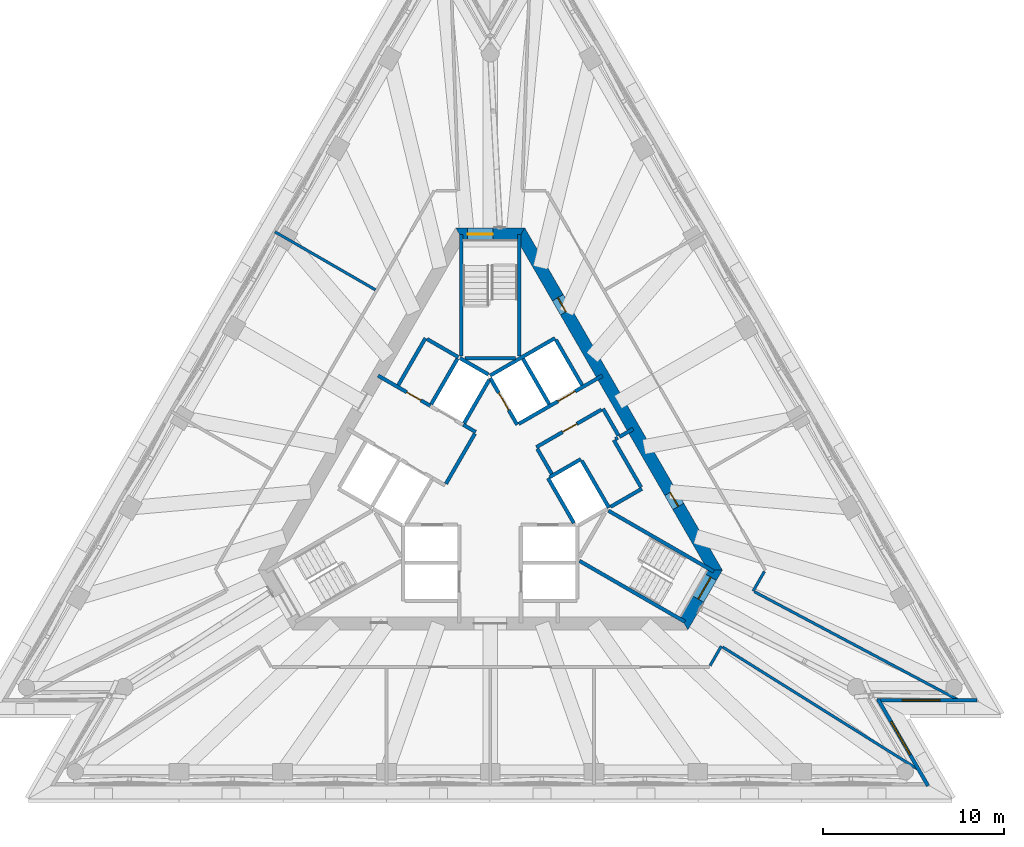
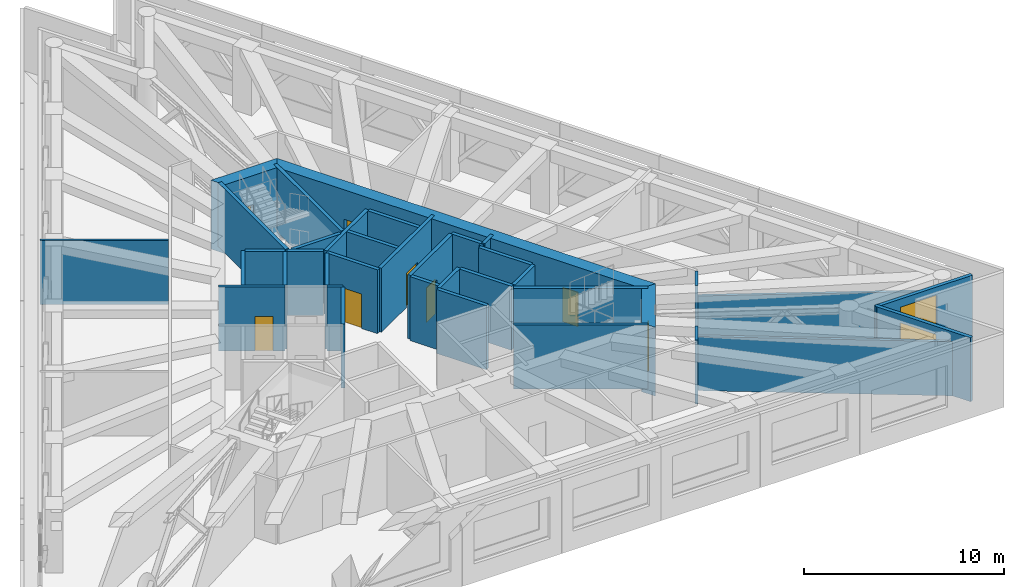
# One storey, part 8 of 12: 38 walls, 8 doors, 2 windows, 10 openings.
"""IFC4 building model written with IfcOpenShell, lengths in metres."""

from ifc_helpers import new_model, si_unit, direction, frame, frame_2d, origin, place, context, subcontext, project, spatial, polyline, rectangle, outline, extrude, material, layer, layer_set, layer_usage, type_object, element, fill, save


model = new_model("IFC4")

# Units and contexts
model_context = context("Model", 3, precision=1e-05, world=origin(), true_north=direction((0.0, 1.0)))
body_context = subcontext(model_context, "Body", "Model", "MODEL_VIEW")
ifc_project = project(units=[si_unit("LENGTHUNIT", "METRE"), si_unit("AREAUNIT", "SQUARE_METRE"), si_unit("VOLUMEUNIT", "CUBIC_METRE"), si_unit("PLANEANGLEUNIT", "RADIAN"), si_unit("MASSUNIT", "GRAM", prefix="KILO")], contexts=[model_context])

# Site, building, storey
site_placement = place(None, origin())
site = spatial("IfcSite", under=ifc_project, at=site_placement, CompositionType="ELEMENT")
building_placement = place(site_placement, origin())
building = spatial("IfcBuilding", under=site, at=building_placement, Name="Triada Interchange Tower", CompositionType="ELEMENT")
storey_placement = place(building_placement, frame((0.0, 0.0, 251.300048828125)))
storey = spatial("IfcBuildingStorey", under=building, at=storey_placement, Name="L59", CompositionType="ELEMENT", Elevation=251.300048828125)

# Wall
ifc_material_1 = material(Name="Concrete C30/37", Category="concrete")
ifc_layer_1 = layer(ifc_material_1, 0.199951171875)
ifc_layer_set_1 = layer_set([ifc_layer_1], Name="CORE WALL 200 EI 120")
wall_type_1 = type_object("IfcWallType", Name="CORE WALL 200 EI 120", PredefinedType="SOLIDWALL", material=ifc_layer_set_1)
wall_1_placement = place(storey_placement, frame((-0.001953125, 5.541015625, 0.0), z_axis=(0.0, 0.0, 1.0), x_axis=(0.86600155993, 0.500041296494, 0.0)))
element("IfcWall", 1, at=wall_1_placement, inside=storey, type_object=wall_type_1, Name="Wall L59 33", PredefinedType="SOLIDWALL", context=body_context, shape_type="SweptSolid", body=[
    extrude(rectangle(XDim=4.131591796875, YDim=0.199951171875, at=frame_2d((2.06591796875, 0.0))), origin(), (0.0, 0.0, 1.0), 3.89990234375),
])

# Wall, opening, door
wall_2_placement = place(storey_placement, frame((0.0, 5.39990234375, 0.0), z_axis=(0.0, 0.0, 1.0), x_axis=(0.500103862429, -0.865965430478, 0.0)))
wall_2 = element("IfcWall", 2, at=wall_2_placement, inside=storey, type_object=wall_type_1, Name="Wall L59 34", PredefinedType="SOLIDWALL", context=body_context, shape_type="SweptSolid", body=[
    extrude(rectangle(XDim=2.973388671875, YDim=0.199951171875, at=frame_2d((1.48681640625, 0.0))), origin(), (0.0, 0.0, 1.0), 3.89990234375),
])
opening_1_placement = place(wall_2_placement, frame((0.93701171875, 0.0, 0.0)))
opening_1 = element("IfcOpeningElement", 3, at=opening_1_placement, cuts=wall_2, Name="Opening LD-HR5", PredefinedType="OPENING", context=body_context, shape_type="SweptSolid", body=[
    extrude(rectangle(XDim=1.10009765625, YDim=2.10009765625, at=frame_2d((0.550048828125, 1.050048828125))), frame((0.0, 0.10986328125, 0.0), z_axis=(0.0, -1.0, 0.0), x_axis=(1.0, 0.0, 0.0)), (0.0, 0.0, 1.0), 0.219970703125),
])
ifc_material_2 = material(Name="Steel S235 door leaf", Category="steel")
door_type_1 = type_object("IfcDoorType", Name="LIFT LANDING DOOR 1100 EI 120", OperationType="SLIDING_TO_LEFT", PredefinedType="DOOR", material=ifc_material_2)
door_1_placement = place(opening_1_placement, origin())
door_1 = element("IfcDoor", 4, at=door_1_placement, inside=storey, type_object=door_type_1, Name="HR5 landing door L59", OperationType="SLIDING_TO_LEFT", OverallHeight=2.10009765625, OverallWidth=1.10009765625, PredefinedType="DOOR", context=body_context, shape_type="SweptSolid", body=[
    extrude(rectangle(XDim=1.10009765625, YDim=2.10009765625, at=frame_2d((0.550048828125, 1.050048828125))), frame((0.0, 0.02490234375, 0.0), z_axis=(0.0, -1.0, 0.0), x_axis=(1.0, 0.0, 0.0)), (0.0, 0.0, 1.0), 0.050048828125),
])
fill(opening_1, door_1)

# Wall
wall_3_placement = place(storey_placement, frame((3.18994140625, -0.125, 0.0), z_axis=(0.0, 0.0, 1.0), x_axis=(0.499988658015, -0.866031951983, 0.0)))
element("IfcWall", 5, at=wall_3_placement, inside=storey, type_object=wall_type_1, Name="Wall L59 35", PredefinedType="SOLIDWALL", context=body_context, shape_type="SweptSolid", body=[
    extrude(rectangle(XDim=2.85791015625, YDim=0.199951171875, at=frame_2d((1.428955078125, 0.0))), origin(), (0.0, 0.0, 1.0), 3.89990234375),
])

# Wall, opening, door
wall_4_placement = place(storey_placement, frame((1.577880859375, 2.8740234375, 0.0), z_axis=(0.0, 0.0, 1.0), x_axis=(0.866045911672, 0.499964477614, 0.0)))
wall_4 = element("IfcWall", 6, at=wall_4_placement, inside=storey, type_object=wall_type_1, Name="Wall L59 36", PredefinedType="SOLIDWALL", context=body_context, shape_type="SweptSolid", body=[
    extrude(rectangle(XDim=5.32666015625, YDim=0.199951171875, at=frame_2d((2.663330078125, 0.0))), origin(), (0.0, 0.0, 1.0), 3.89990234375),
])
opening_2_placement = place(wall_4_placement, frame((2.49609375, 0.0, 0.0)))
opening_2 = element("IfcOpeningElement", 7, at=opening_2_placement, cuts=wall_4, Name="Opening LD-HR6", PredefinedType="OPENING", context=body_context, shape_type="SweptSolid", body=[
    extrude(rectangle(XDim=1.10009765625, YDim=2.10009765625, at=frame_2d((0.550048828125, 1.050048828125))), frame((0.0, 0.10986328125, 0.0), z_axis=(0.0, -1.0, 0.0), x_axis=(1.0, 0.0, 0.0)), (0.0, 0.0, 1.0), 0.219970703125),
])
door_2_placement = place(opening_2_placement, origin())
door_2 = element("IfcDoor", 8, at=door_2_placement, inside=storey, type_object=door_type_1, Name="HR6 landing door L59", OperationType="SLIDING_TO_LEFT", OverallHeight=2.10009765625, OverallWidth=1.10009765625, PredefinedType="DOOR", context=body_context, shape_type="SweptSolid", body=[
    extrude(rectangle(XDim=1.10009765625, YDim=2.10009765625, at=frame_2d((0.550048828125, 1.050048828125))), frame((0.0, 0.02490234375, 0.0), z_axis=(0.0, -1.0, 0.0), x_axis=(1.0, 0.0, 0.0)), (0.0, 0.0, 1.0), 0.050048828125),
])
fill(opening_2, door_2)

# Walls
wall_5_placement = place(storey_placement, frame((3.278076171875, -0.071044921875, 0.0), z_axis=(0.0, 0.0, 1.0), x_axis=(0.865855657918, 0.500293893279, 0.0)))
element("IfcWall", 9, at=wall_5_placement, inside=storey, type_object=wall_type_1, Name="Wall L59 39", PredefinedType="SOLIDWALL", context=body_context, shape_type="SweptSolid", body=[
    extrude(rectangle(XDim=1.996826171875, YDim=0.199951171875, at=frame_2d((0.99853515625, 0.0))), origin(), (0.0, 0.0, 1.0), 3.89990234375),
])
wall_6_placement = place(storey_placement, frame((7.12890625, 2.153076171875, 0.0), z_axis=(0.0, 0.0, 1.0), x_axis=(0.866083962871, 0.499898558967, 0.0)))
element("IfcWall", 10, at=wall_6_placement, inside=storey, type_object=wall_type_1, Name="Wall L59 40", PredefinedType="SOLIDWALL", context=body_context, shape_type="SweptSolid", body=[
    extrude(rectangle(XDim=0.880126953125, YDim=0.199951171875, at=frame_2d((0.43994140625, 0.0))), origin(), (0.0, 0.0, 1.0), 3.89990234375),
])
for number, where, z_axis, x_axis, name in (
    (11, (3.6259765625, 7.52001953125, 0.0), (0.0, 0.0, 1.0), (0.500060147554, -0.865990674793, 0.0), "Wall L59 41"),
    (12, (1.806884765625, 6.469970703125, 0.0), (0.0, 0.0, 1.0), (0.50012328804, -0.865954211699, 0.0), "Wall L59 42"),
):
    element("IfcWall", number, at=place(storey_placement, frame(where, z_axis=z_axis, x_axis=x_axis)), inside=storey, type_object=wall_type_1, Name=name, PredefinedType="SOLIDWALL", context=body_context, shape_type="SweptSolid", body=[
        extrude(rectangle(XDim=2.899658203125, YDim=0.199951171875, at=frame_2d((1.44970703125, 0.0))), origin(), (0.0, 0.0, 1.0), 3.89990234375),
    ])
wall_7_placement = place(storey_placement, frame((5.056884765625, 0.841064453125, 0.0), z_axis=(0.0, 0.0, 1.0), x_axis=(0.499990139034, -0.866031096941, 0.0)))
element("IfcWall", 13, at=wall_7_placement, inside=storey, type_object=wall_type_1, Name="Wall L59 43", PredefinedType="SOLIDWALL", context=body_context, shape_type="SweptSolid", body=[
    extrude(rectangle(XDim=3.0, YDim=0.199951171875, at=frame_2d((1.5, 0.0))), origin(), (0.0, 0.0, 1.0), 3.89990234375),
])
wall_8_placement = place(storey_placement, frame((6.22900390625, 3.7119140625, 0.0), z_axis=(0.0, 0.0, 1.0), x_axis=(0.499875724984, -0.86609714211, 0.0)))
element("IfcWall", 14, at=wall_8_placement, inside=storey, type_object=wall_type_1, Name="Wall L59 45", PredefinedType="SOLIDWALL", context=body_context, shape_type="SweptSolid", body=[
    extrude(rectangle(XDim=1.70068359375, YDim=0.199951171875, at=frame_2d((0.850341796875, 0.0))), origin(), (0.0, 0.0, 1.0), 3.89990234375),
])

# Wall, opening, door
wall_9_placement = place(storey_placement, frame((2.548095703125, 1.5869140625, 0.0), z_axis=(0.0, 0.0, 1.0), x_axis=(0.866004344652, 0.500036473714, 0.0)))
wall_9 = element("IfcWall", 15, at=wall_9_placement, inside=storey, type_object=wall_type_1, Name="Wall L59 46", PredefinedType="SOLIDWALL", context=body_context, shape_type="SweptSolid", body=[
    extrude(rectangle(XDim=4.150146484375, YDim=0.199951171875, at=frame_2d((2.0751953125, 0.0))), origin(), (0.0, 0.0, 1.0), 3.89990234375),
])
opening_3_placement = place(wall_9_placement, frame((1.675048828125, 0.0, 0.0)))
opening_3 = element("IfcOpeningElement", 16, at=opening_3_placement, cuts=wall_9, Name="Opening D59-29", PredefinedType="OPENING", context=body_context, shape_type="SweptSolid", body=[
    extrude(rectangle(XDim=0.89990234375, YDim=2.10009765625, at=frame_2d((0.449951171875, 1.050048828125))), frame((0.0, 0.10986328125, 0.0), z_axis=(0.0, -1.0, 0.0), x_axis=(1.0, 0.0, 0.0)), (0.0, 0.0, 1.0), 0.219970703125),
])
door_type_2 = type_object("IfcDoorType", Name="SERVICE DOOR 900 EI2 45-C5S200", OperationType="NOTDEFINED", PredefinedType="DOOR", material=ifc_material_2)
door_3_placement = place(opening_3_placement, origin())
door_3 = element("IfcDoor", 17, at=door_3_placement, inside=storey, type_object=door_type_2, Name="Door D59-29 L59", OperationType="SINGLE_SWING_RIGHT", OverallHeight=2.10009765625, OverallWidth=0.89990234375, PredefinedType="DOOR", context=body_context, shape_type="SweptSolid", body=[
    extrude(rectangle(XDim=0.89990234375, YDim=2.10009765625, at=frame_2d((0.449951171875, 1.050048828125))), frame((0.0, 0.02490234375, 0.0), z_axis=(0.0, -1.0, 0.0), x_axis=(1.0, 0.0, 0.0)), (0.0, 0.0, 1.0), 0.050048828125),
])
fill(opening_3, door_3)

# Wall
wall_10_placement = place(storey_placement, frame((2.597900390625, 1.5, 0.0), z_axis=(0.0, 0.0, 1.0), x_axis=(0.499929347863, -0.866066190972, 0.0)))
element("IfcWall", 18, at=wall_10_placement, inside=storey, type_object=wall_type_1, Name="Wall L59 47", PredefinedType="SOLIDWALL", context=body_context, shape_type="SweptSolid", body=[
    extrude(rectangle(XDim=1.600341796875, YDim=0.199951171875, at=frame_2d((0.80029296875, 0.0))), origin(), (0.0, 0.0, 1.0), 3.89990234375),
])

# Wall, opening, door
ifc_layer_2 = layer(ifc_material_1, 0.199951171875)
ifc_layer_set_2 = layer_set([ifc_layer_2], Name="CORE WALL 200 EI 180")
wall_type_2 = type_object("IfcWallType", Name="CORE WALL 200 EI 180", PredefinedType="SOLIDWALL", material=ifc_layer_set_2)
wall_11_placement = place(storey_placement, frame((-6.19091796875, 5.537109375, 0.0), z_axis=(0.0, 0.0, 1.0), x_axis=(0.866052607023, -0.499952879648, 0.0)))
wall_11 = element("IfcWall", 19, at=wall_11_placement, inside=storey, type_object=wall_type_2, Name="Wall L59 50", PredefinedType="SOLIDWALL", context=body_context, shape_type="SweptSolid", body=[
    extrude(rectangle(XDim=3.332275390625, YDim=0.199951171875, at=frame_2d((1.666015625, 0.0))), origin(), (0.0, 0.0, 1.0), 3.89990234375),
])
opening_4_placement = place(wall_11_placement, frame((1.830078125, 0.0, 0.0)))
opening_4 = element("IfcOpeningElement", 20, at=opening_4_placement, cuts=wall_11, Name="Opening D59-10", PredefinedType="OPENING", context=body_context, shape_type="SweptSolid", body=[
    extrude(rectangle(XDim=0.89990234375, YDim=2.10009765625, at=frame_2d((0.449951171875, 1.050048828125))), frame((0.0, 0.10986328125, 0.0), z_axis=(0.0, -1.0, 0.0), x_axis=(1.0, 0.0, 0.0)), (0.0, 0.0, 1.0), 0.219970703125),
])
door_type_3 = type_object("IfcDoorType", Name="SERVICE DOOR 900 EI2 90-C5S200", OperationType="NOTDEFINED", PredefinedType="DOOR", material=ifc_material_2)
door_4_placement = place(opening_4_placement, origin())
door_4 = element("IfcDoor", 21, at=door_4_placement, inside=storey, type_object=door_type_3, Name="Door D59-10 L59", OperationType="SINGLE_SWING_LEFT", OverallHeight=2.10009765625, OverallWidth=0.89990234375, PredefinedType="DOOR", context=body_context, shape_type="SweptSolid", body=[
    extrude(rectangle(XDim=0.89990234375, YDim=2.10009765625, at=frame_2d((0.449951171875, 1.050048828125))), frame((0.0, 0.02490234375, 0.0), z_axis=(0.0, -1.0, 0.0), x_axis=(1.0, 0.0, 0.0)), (0.0, 0.0, 1.0), 0.050048828125),
])
fill(opening_4, door_4)

# Walls
wall_12_placement = place(storey_placement, frame((-1.488037109375, 2.822021484375, 0.0), z_axis=(0.0, 0.0, 1.0), x_axis=(0.866236612152, -0.499633997809, 0.0)))
element("IfcWall", 22, at=wall_12_placement, inside=storey, type_object=wall_type_2, Name="Wall L59 51", PredefinedType="SOLIDWALL", context=body_context, shape_type="SweptSolid", body=[
    extrude(rectangle(XDim=0.79638671875, YDim=0.199951171875, at=frame_2d((0.398193359375, 0.0))), origin(), (0.0, 0.0, 1.0), 3.89990234375),
])
wall_13_placement = place(storey_placement, frame((-5.075927734375, 5.009033203125, 0.0), z_axis=(0.0, 0.0, 1.0), x_axis=(0.50002537861, 0.866010750942, 0.0)))
element("IfcWall", 23, at=wall_13_placement, inside=storey, type_object=wall_type_2, Name="Wall L59 52", PredefinedType="SOLIDWALL", context=body_context, shape_type="SweptSolid", body=[
    extrude(rectangle(XDim=2.999755859375, YDim=0.199951171875, at=frame_2d((1.5, 0.0))), origin(), (0.0, 0.0, 1.0), 3.89990234375),
])
wall_14_placement = place(storey_placement, frame((-3.489013671875, 7.556884765625, 0.0), z_axis=(0.0, 0.0, 1.0), x_axis=(0.866010750942, -0.50002537861, 0.0)))
element("IfcWall", 24, at=wall_14_placement, inside=storey, type_object=wall_type_2, Name="Wall L59 53", PredefinedType="SOLIDWALL", context=body_context, shape_type="SweptSolid", body=[
    extrude(rectangle(XDim=2.0, YDim=0.199951171875, at=frame_2d((1.0, 0.0))), origin(), (0.0, 0.0, 1.0), 3.89990234375),
])
wall_15_placement = place(storey_placement, frame((-2.444091796875, -0.43310546875, 0.0), z_axis=(0.0, 0.0, 1.0), x_axis=(0.500035624827, 0.866004834804, 0.0)))
element("IfcWall", 25, at=wall_15_placement, inside=storey, type_object=wall_type_2, Name="Wall L59 54", PredefinedType="SOLIDWALL", context=body_context, shape_type="SweptSolid", body=[
    extrude(rectangle(XDim=3.194091796875, YDim=0.199951171875, at=frame_2d((1.59716796875, 0.0))), origin(), (0.0, 0.0, 1.0), 3.89990234375),
])
wall_16_placement = place(storey_placement, frame((-3.257080078125, 3.958984375, 0.0), z_axis=(0.0, 0.0, 1.0), x_axis=(0.50012328804, 0.865954211699, 0.0)))
element("IfcWall", 26, at=wall_16_placement, inside=storey, type_object=wall_type_2, Name="Shaft wall FF2 L59 60", PredefinedType="SOLIDWALL", context=body_context, shape_type="SweptSolid", body=[
    extrude(rectangle(XDim=2.899658203125, YDim=0.199951171875, at=frame_2d((1.44970703125, 0.0))), origin(), (0.0, 0.0, 1.0), 3.89990234375),
])
wall_17_placement = place(storey_placement, frame((-1.669921875, 6.507080078125, 0.0), z_axis=(0.0, 0.0, 1.0), x_axis=(0.865941441609, -0.500145398563, 0.0)))
element("IfcWall", 27, at=wall_17_placement, inside=storey, type_object=wall_type_2, Name="Shaft wall FF2 L59 61", PredefinedType="SOLIDWALL", context=body_context, shape_type="SweptSolid", body=[
    extrude(rectangle(XDim=1.8154296875, YDim=0.199951171875, at=frame_2d((0.90771484375, 0.0))), origin(), (0.0, 0.0, 1.0), 3.89990234375),
])
wall_18_placement = place(storey_placement, frame((-1.43798828125, 2.908935546875, 0.0), z_axis=(0.0, 0.0, 1.0), x_axis=(0.499829630636, 0.866123744241, 0.0)))
element("IfcWall", 28, at=wall_18_placement, inside=storey, type_object=wall_type_2, Name="Shaft wall FF2 L59 62", PredefinedType="SOLIDWALL", context=body_context, shape_type="SweptSolid", body=[
    extrude(rectangle(XDim=2.7607421875, YDim=0.199951171875, at=frame_2d((1.38037109375, 0.0))), origin(), (0.0, 0.0, 1.0), 3.89990234375),
])
ifc_layer_3 = layer(ifc_material_1, 0.199951171875)
ifc_layer_set_3 = layer_set([ifc_layer_3], Name="CORE WALL 200 EI 90")
wall_type_3 = type_object("IfcWallType", Name="CORE WALL 200 EI 90", PredefinedType="SOLIDWALL", material=ifc_layer_set_3)
wall_19_placement = place(storey_placement, frame((6.64208984375, -1.7080078125, 0.0), z_axis=(0.0, 0.0, 1.0), x_axis=(0.866043441391, 0.499968756647, 0.0)))
element("IfcWall", 29, at=wall_19_placement, inside=storey, type_object=wall_type_3, Name="Wall L59 64", PredefinedType="SOLIDWALL", context=body_context, shape_type="SweptSolid", body=[
    extrude(rectangle(XDim=2.002197265625, YDim=0.199951171875, at=frame_2d((1.0009765625, 0.0))), origin(), (0.0, 0.0, 1.0), 3.89990234375),
])
wall_20_placement = place(storey_placement, frame((6.825927734375, 1.97802734375, 0.0), z_axis=(0.0, 0.0, 1.0), x_axis=(0.499990139034, -0.866031096941, 0.0)))
element("IfcWall", 30, at=wall_20_placement, inside=storey, type_object=wall_type_3, Name="Wall L59 65", PredefinedType="SOLIDWALL", context=body_context, shape_type="SweptSolid", body=[
    extrude(rectangle(XDim=3.0, YDim=0.199951171875, at=frame_2d((1.5, 0.0))), origin(), (0.0, 0.0, 1.0), 3.89990234375),
])
wall_21_placement = place(storey_placement, frame((6.912109375, 2.028076171875, 0.0), z_axis=(0.0, 0.0, 1.0), x_axis=(0.866559367082, 0.499074005857, 0.0)))
element("IfcWall", 31, at=wall_21_placement, inside=storey, type_object=wall_type_3, Name="Wall L59 66", PredefinedType="SOLIDWALL", context=body_context, shape_type="SweptSolid", body=[
    extrude(rectangle(XDim=0.152099609375, YDim=0.199951171875, at=frame_2d((0.076171875, 0.0))), origin(), (0.0, 0.0, 1.0), 3.89990234375),
])
ifc_layer_4 = layer(ifc_material_1, 0.199951171875)
ifc_layer_set_4 = layer_set([ifc_layer_4], Name="CORE WALL 200 REI 240")
wall_type_4 = type_object("IfcWallType", Name="CORE WALL 200 REI 240", PredefinedType="SOLIDWALL", material=ifc_layer_set_4)
wall_22_placement = place(storey_placement, frame((1.60009765625, 6.614990234375, 0.0), z_axis=(0.0, 0.0, 1.0), x_axis=(0.0, 1.0, 0.0)))
element("IfcWall", 32, at=wall_22_placement, inside=storey, type_object=wall_type_4, Name="Wall L59 70", PredefinedType="SOLIDWALL", context=body_context, shape_type="SweptSolid", body=[
    extrude(rectangle(XDim=6.715087890625, YDim=0.199951171875, at=frame_2d((3.357421875, 0.0))), origin(), (0.0, 0.0, 1.0), 3.89990234375),
])
wall_23_placement = place(storey_placement, frame((-1.39990234375, 6.5, 0.0), z_axis=(0.0, 0.0, 1.0), x_axis=(1.0, 0.0, 0.0)))
element("IfcWall", 33, at=wall_23_placement, inside=storey, type_object=wall_type_4, Name="Wall L59 71", PredefinedType="SOLIDWALL", context=body_context, shape_type="SweptSolid", body=[
    extrude(rectangle(XDim=2.7998046875, YDim=0.199951171875, at=frame_2d((1.39990234375, 0.0))), origin(), (0.0, 0.0, 1.0), 3.89990234375),
])
wall_24_placement = place(storey_placement, frame((-1.60009765625, 6.614990234375, 0.0), z_axis=(0.0, 0.0, 1.0), x_axis=(0.0, 1.0, 0.0)))
element("IfcWall", 34, at=wall_24_placement, inside=storey, type_object=wall_type_4, Name="Wall L59 72", PredefinedType="SOLIDWALL", context=body_context, shape_type="SweptSolid", body=[
    extrude(rectangle(XDim=6.715087890625, YDim=0.199951171875, at=frame_2d((3.357421875, 0.0))), origin(), (0.0, 0.0, 1.0), 3.89990234375),
])
wall_25_placement = place(storey_placement, frame((4.928955078125, -4.693115234375, 0.0), z_axis=(0.0, 0.0, 1.0), x_axis=(0.865983344943, -0.500072840975, 0.0)))
element("IfcWall", 35, at=wall_25_placement, inside=storey, type_object=wall_type_4, Name="Wall L59 73", PredefinedType="SOLIDWALL", context=body_context, shape_type="SweptSolid", body=[
    extrude(rectangle(XDim=6.71484375, YDim=0.199951171875, at=frame_2d((3.357421875, 0.0))), origin(), (0.0, 0.0, 1.0), 3.89990234375),
])
wall_26_placement = place(storey_placement, frame((6.529052734375, -1.922119140625, 0.0), z_axis=(0.0, 0.0, 1.0), x_axis=(0.866046323291, -0.499963764601, 0.0)))
element("IfcWall", 36, at=wall_26_placement, inside=storey, type_object=wall_type_4, Name="Wall L59 75", PredefinedType="SOLIDWALL", context=body_context, shape_type="SweptSolid", body=[
    extrude(rectangle(XDim=6.71435546875, YDim=0.199951171875, at=frame_2d((3.357177734375, 0.0))), origin(), (0.0, 0.0, 1.0), 3.89990234375),
])

# Wall, opening, door
ifc_material_3 = material(Name="Concrete C50/60", Category="concrete")
ifc_layer_5 = layer(ifc_material_3, 0.699951171875)
ifc_layer_set_5 = layer_set([ifc_layer_5], Name="Core wall C 700")
wall_type_5 = type_object("IfcWallType", Name="Core wall C 700", PredefinedType="SHEAR", material=ifc_layer_set_5)
wall_27_placement = place(storey_placement, frame((1.702880859375, 13.35009765625, -0.300048828125), z_axis=(0.0, 0.0, 1.0), x_axis=(-1.0, 0.0, 0.0)))
wall_27 = element("IfcWall", 37, at=wall_27_placement, inside=storey, type_object=wall_type_5, Name="Core wall WC01 L59", PredefinedType="SHEAR", context=body_context, shape_type="SweptSolid", body=[
    extrude(outline(polyline([(-0.201904296875, -0.35009765625), (1.703125, -0.35009765625), (3.60791015625, -0.35009765625), (3.2041015625, 0.35009765625), (1.703125, 0.35009765625), (0.201904296875, 0.35009765625), (-0.201904296875, -0.35009765625)])), origin(), (0.0, 0.0, 1.0), 4.199951171875),
])
opening_5_placement = place(wall_27_placement, frame((1.552978515625, 0.0, 0.300048828125)))
opening_5 = element("IfcOpeningElement", 38, at=opening_5_placement, cuts=wall_27, Name="Opening D59-22", PredefinedType="OPENING", context=body_context, shape_type="SweptSolid", body=[
    extrude(rectangle(XDim=1.39990234375, YDim=2.10009765625, at=frame_2d((0.699951171875, 1.050048828125))), frame((0.0, 0.360107421875, 0.0), z_axis=(0.0, -1.0, 0.0), x_axis=(1.0, 0.0, 0.0)), (0.0, 0.0, 1.0), 0.72021484375),
])
door_type_4 = type_object("IfcDoorType", Name="STAIR DOOR 1400 EI2 90-C5S200", OperationType="DOUBLE_DOOR_SINGLE_SWING", PredefinedType="DOOR", material=ifc_material_2)
door_5_placement = place(opening_5_placement, origin())
door_5 = element("IfcDoor", 39, at=door_5_placement, inside=storey, type_object=door_type_4, Name="Door D59-22 L59", OperationType="DOUBLE_DOOR_SINGLE_SWING", OverallHeight=2.10009765625, OverallWidth=1.39990234375, PredefinedType="DOOR", context=body_context, shape_type="SweptSolid", body=[
    extrude(rectangle(XDim=1.39990234375, YDim=2.10009765625, at=frame_2d((0.699951171875, 1.050048828125))), frame((0.0, 0.02490234375, 0.0), z_axis=(0.0, -1.0, 0.0), x_axis=(1.0, 0.0, 0.0)), (0.0, 0.0, 1.0), 0.050048828125),
])
fill(opening_5, door_5)

wall_28_placement = place(storey_placement, frame((10.7099609375, -8.14990234375, -0.300048828125), z_axis=(0.0, 0.0, 1.0), x_axis=(0.49999337185, 0.866029230515, 0.0)))
wall_28 = element("IfcWall", 40, at=wall_28_placement, inside=storey, type_object=wall_type_5, Name="Core wall WC05 L59", PredefinedType="SHEAR", context=body_context, shape_type="SweptSolid", body=[
    extrude(outline(polyline([(-0.201904296875, -0.35009765625), (1.703125, -0.35009765625), (3.60791015625, -0.35009765625), (3.2041015625, 0.35009765625), (1.703125, 0.35009765625), (0.201904296875, 0.35009765625), (-0.201904296875, -0.35009765625)])), origin(), (0.0, 0.0, 1.0), 4.199951171875),
])
opening_6_placement = place(wall_28_placement, frame((1.552978515625, 0.0, 0.300048828125)))
opening_6 = element("IfcOpeningElement", 41, at=opening_6_placement, cuts=wall_28, Name="Opening D59-24", PredefinedType="OPENING", context=body_context, shape_type="SweptSolid", body=[
    extrude(rectangle(XDim=1.39990234375, YDim=2.10009765625, at=frame_2d((0.699951171875, 1.050048828125))), frame((0.0, 0.360107421875, 0.0), z_axis=(0.0, -1.0, 0.0), x_axis=(1.0, 0.0, 0.0)), (0.0, 0.0, 1.0), 0.72021484375),
])
door_6_placement = place(opening_6_placement, origin())
door_6 = element("IfcDoor", 42, at=door_6_placement, inside=storey, type_object=door_type_4, Name="Door D59-24 L59", OperationType="DOUBLE_DOOR_SINGLE_SWING", OverallHeight=2.10009765625, OverallWidth=1.39990234375, PredefinedType="DOOR", context=body_context, shape_type="SweptSolid", body=[
    extrude(rectangle(XDim=1.39990234375, YDim=2.10009765625, at=frame_2d((0.699951171875, 1.050048828125))), frame((0.0, 0.02490234375, 0.0), z_axis=(0.0, -1.0, 0.0), x_axis=(1.0, 0.0, 0.0)), (0.0, 0.0, 1.0), 0.050048828125),
])
fill(opening_6, door_6)

# Wall, openings, doors
wall_29_placement = place(storey_placement, frame((12.4130859375, -5.199951171875, -0.300048828125), z_axis=(0.0, 0.0, 1.0), x_axis=(-0.500011533395, 0.866018744874, 0.0)))
wall_29 = element("IfcWall", 43, at=wall_29_placement, inside=storey, type_object=wall_type_5, Name="Core wall WC06 L59", PredefinedType="SHEAR", context=body_context, shape_type="SweptSolid", body=[
    extrude(outline(polyline([(-0.201904296875, -0.35009765625), (1.781982421875, -0.35009765625), (3.76611328125, -0.35009765625), (5.75, -0.35009765625), (7.734130859375, -0.35009765625), (9.718017578125, -0.35009765625), (11.7021484375, -0.35009765625), (13.68603515625, -0.35009765625), (15.670166015625, -0.35009765625), (17.654052734375, -0.35009765625), (19.63818359375, -0.35009765625), (21.6220703125, -0.35009765625), (21.218017578125, 0.35009765625), (19.307373046875, 0.35009765625), (17.39697265625, 0.35009765625), (15.486328125, 0.35009765625), (13.57568359375, 0.35009765625), (11.665283203125, 0.35009765625), (9.754638671875, 0.35009765625), (7.84423828125, 0.35009765625), (5.93359375, 0.35009765625), (4.02294921875, 0.35009765625), (2.112548828125, 0.35009765625), (0.201904296875, 0.35009765625), (-0.201904296875, -0.35009765625)])), origin(), (0.0, 0.0, 1.0), 4.199951171875),
])
opening_7_placement = place(wall_29_placement, frame((4.054931640625, 0.0, 0.300048828125)))
opening_7 = element("IfcOpeningElement", 44, at=opening_7_placement, cuts=wall_29, Name="Opening D59-27", PredefinedType="OPENING", context=body_context, shape_type="SweptSolid", body=[
    extrude(rectangle(XDim=0.89990234375, YDim=2.10009765625, at=frame_2d((0.449951171875, 1.050048828125))), frame((0.0, 0.360107421875, 0.0), z_axis=(0.0, -1.0, 0.0), x_axis=(1.0, 0.0, 0.0)), (0.0, 0.0, 1.0), 0.72021484375),
])
opening_8_placement = place(wall_29_placement, frame((16.465087890625, 0.0, 0.300048828125)))
opening_8 = element("IfcOpeningElement", 45, at=opening_8_placement, cuts=wall_29, Name="Opening D59-28", PredefinedType="OPENING", context=body_context, shape_type="SweptSolid", body=[
    extrude(rectangle(XDim=0.89990234375, YDim=2.10009765625, at=frame_2d((0.449951171875, 1.050048828125))), frame((0.0, 0.360107421875, 0.0), z_axis=(0.0, -1.0, 0.0), x_axis=(1.0, 0.0, 0.0)), (0.0, 0.0, 1.0), 0.72021484375),
])
door_type_5 = type_object("IfcDoorType", Name="RISER ACCESS DOOR 900 EI2 45-C5S200", OperationType="NOTDEFINED", PredefinedType="DOOR", material=ifc_material_2)
door_7_placement = place(opening_7_placement, origin())
door_7 = element("IfcDoor", 46, at=door_7_placement, inside=storey, type_object=door_type_5, Name="Door D59-27 L59", OperationType="SINGLE_SWING_RIGHT", OverallHeight=2.10009765625, OverallWidth=0.89990234375, PredefinedType="DOOR", context=body_context, shape_type="SweptSolid", body=[
    extrude(rectangle(XDim=0.89990234375, YDim=2.10009765625, at=frame_2d((0.449951171875, 1.050048828125))), frame((0.0, 0.02490234375, 0.0), z_axis=(0.0, -1.0, 0.0), x_axis=(1.0, 0.0, 0.0)), (0.0, 0.0, 1.0), 0.050048828125),
])
fill(opening_7, door_7)
door_8_placement = place(opening_8_placement, origin())
door_8 = element("IfcDoor", 47, at=door_8_placement, inside=storey, type_object=door_type_5, Name="Door D59-28 L59", OperationType="SINGLE_SWING_RIGHT", OverallHeight=2.10009765625, OverallWidth=0.89990234375, PredefinedType="DOOR", context=body_context, shape_type="SweptSolid", body=[
    extrude(rectangle(XDim=0.89990234375, YDim=2.10009765625, at=frame_2d((0.449951171875, 1.050048828125))), frame((0.0, 0.02490234375, 0.0), z_axis=(0.0, -1.0, 0.0), x_axis=(1.0, 0.0, 0.0)), (0.0, 0.0, 1.0), 0.050048828125),
])
fill(opening_8, door_8)

# Wall, opening, window
ifc_material_4 = material(Name="Cement board")
ifc_layer_6 = layer(ifc_material_4, 0.02001953125, Name="Cement board cladding")
ifc_material_5 = material(Name="Sheathing board")
ifc_layer_7 = layer(ifc_material_5, 0.014892578125, Name="Sheathing board")
ifc_material_6 = material(Name="Mineral wool")
ifc_layer_8 = layer(ifc_material_6, 0.14990234375, Name="Mineral wool between steel studs")
ifc_material_7 = material(Name="Gypsum board")
ifc_layer_9 = layer(ifc_material_7, 0.014892578125, Name="Plasterboard lining")
ifc_layer_set_6 = layer_set([ifc_layer_6, ifc_layer_7, ifc_layer_8, ifc_layer_9], Name="External wall 200")
ifc_layer_usage = layer_usage(ifc_layer_set_6, "AXIS2", "POSITIVE", -0.10009765625)
wall_type_6 = type_object("IfcWallType", Name="External wall 200", PredefinedType="ELEMENTEDWALL", material=ifc_layer_set_6)
wall_30_placement = place(storey_placement, frame((24.173095703125, -17.110107421875, 0.0), z_axis=(0.0, 0.0, 1.0), x_axis=(-0.499926164748, 0.866068028391, 0.0)))
wall_30 = element("IfcWall", 48, at=wall_30_placement, inside=storey, type_object=wall_type_6, material=ifc_layer_usage, Name="External wall L59 SE-1", PredefinedType="ELEMENTEDWALL", context=body_context, shape_type="SweptSolid", body=[
    extrude(rectangle(XDim=5.532958984375, YDim=0.199951171875, at=frame_2d((2.7666015625, 0.0))), origin(), (0.0, 0.0, 1.0), 3.89990234375),
])
opening_9_placement = place(wall_30_placement, frame((1.989990234375, 0.0, 0.89990234375)))
opening_9 = element("IfcOpeningElement", 49, at=opening_9_placement, cuts=wall_30, Name="Opening WC19", PredefinedType="OPENING", context=body_context, shape_type="SweptSolid", body=[
    extrude(rectangle(XDim=2.10009765625, YDim=2.5, at=frame_2d((1.050048828125, 1.25))), frame((0.0, 0.10986328125, 0.0), z_axis=(0.0, -1.0, 0.0), x_axis=(1.0, 0.0, 0.0)), (0.0, 0.0, 1.0), 0.219970703125),
])
ifc_material_8 = material(Name="Double glazed aluminium window", Category="aluminium")
window_type = type_object("IfcWindowType", Name="Ribbon window C pocket", PartitioningType="SINGLE_PANEL", PredefinedType="WINDOW", material=ifc_material_8)
window_1_placement = place(opening_9_placement, origin())
window_1 = element("IfcWindow", 50, at=window_1_placement, inside=storey, type_object=window_type, Name="Window L59 SE-1 1", OverallHeight=2.5, OverallWidth=2.10009765625, PartitioningType="SINGLE_PANEL", PredefinedType="WINDOW", context=body_context, shape_type="SweptSolid", body=[
    extrude(rectangle(XDim=2.10009765625, YDim=2.5, at=frame_2d((1.050048828125, 1.25))), frame((0.0, 0.030029296875, 0.0), z_axis=(0.0, -1.0, 0.0), x_axis=(1.0, 0.0, 0.0)), (0.0, 0.0, 1.0), 0.06005859375),
])
fill(opening_9, window_1)

wall_31_placement = place(storey_placement, frame((21.35205078125, -12.37890625, 0.0), z_axis=(0.0, 0.0, 1.0), x_axis=(1.0, 0.0, 0.0)))
wall_31 = element("IfcWall", 51, at=wall_31_placement, inside=storey, type_object=wall_type_6, material=ifc_layer_usage, Name="External wall L59 SE-2", PredefinedType="ELEMENTEDWALL", context=body_context, shape_type="SweptSolid", body=[
    extrude(rectangle(XDim=5.531982421875, YDim=0.199951171875, at=frame_2d((2.76611328125, 0.0))), origin(), (0.0, 0.0, 1.0), 3.89990234375),
])
opening_10_placement = place(wall_31_placement, frame((1.389892578125, 0.0, 0.89990234375)))
opening_10 = element("IfcOpeningElement", 52, at=opening_10_placement, cuts=wall_31, Name="Opening WC20", PredefinedType="OPENING", context=body_context, shape_type="SweptSolid", body=[
    extrude(rectangle(XDim=2.10009765625, YDim=2.5, at=frame_2d((1.050048828125, 1.25))), frame((0.0, 0.10986328125, 0.0), z_axis=(0.0, -1.0, 0.0), x_axis=(1.0, 0.0, 0.0)), (0.0, 0.0, 1.0), 0.219970703125),
])
window_2_placement = place(opening_10_placement, origin())
window_2 = element("IfcWindow", 53, at=window_2_placement, inside=storey, type_object=window_type, Name="Window L59 SE-2 1", OverallHeight=2.5, OverallWidth=2.10009765625, PartitioningType="SINGLE_PANEL", PredefinedType="WINDOW", context=body_context, shape_type="SweptSolid", body=[
    extrude(rectangle(XDim=2.10009765625, YDim=2.5, at=frame_2d((1.050048828125, 1.25))), frame((0.0, 0.030029296875, 0.0), z_axis=(0.0, -1.0, 0.0), x_axis=(1.0, 0.0, 0.0)), (0.0, 0.0, 1.0), 0.06005859375),
])
fill(opening_10, window_2)

# Walls
ifc_material_9 = material(Name="Gypsum board partition")
ifc_layer_10 = layer(ifc_material_9, 0.14990234375)
ifc_layer_set_7 = layer_set([ifc_layer_10], Name="PARTITION 150 EI 180")
wall_type_7 = type_object("IfcWallType", Name="PARTITION 150 EI 180", PredefinedType="PARTITIONING", material=ifc_layer_set_7)
wall_32_placement = place(storey_placement, frame((-11.885009765625, 13.47705078125, 0.0), z_axis=(0.0, 0.0, 1.0), x_axis=(0.866030104553, -0.499991857942, 0.0)))
element("IfcWall", 54, at=wall_32_placement, inside=storey, type_object=wall_type_7, Name="Wall L59 8", PredefinedType="PARTITIONING", context=body_context, shape_type="SweptSolid", body=[
    extrude(rectangle(XDim=6.40625, YDim=0.14990234375, at=frame_2d((3.203125, 0.0))), origin(), (0.0, 0.0, 1.0), 3.89990234375),
])
wall_33_placement = place(storey_placement, frame((12.138916015625, -10.47509765625, 0.0), z_axis=(0.0, 0.0, 1.0), x_axis=(0.499785009086, 0.86614949327, 0.0)))
element("IfcWall", 55, at=wall_33_placement, inside=storey, type_object=wall_type_7, Name="Wall L59 17", PredefinedType="PARTITIONING", context=body_context, shape_type="SweptSolid", body=[
    extrude(rectangle(XDim=1.23876953125, YDim=0.14990234375, at=frame_2d((0.619384765625, 0.0))), origin(), (0.0, 0.0, 1.0), 3.89990234375),
])
wall_34_placement = place(storey_placement, frame((14.51708984375, -6.35595703125, 0.0), z_axis=(0.0, 0.0, 1.0), x_axis=(0.499925626596, 0.866068339032, 0.0)))
element("IfcWall", 56, at=wall_34_placement, inside=storey, type_object=wall_type_7, Name="Wall L59 18", PredefinedType="PARTITIONING", context=body_context, shape_type="SweptSolid", body=[
    extrude(rectangle(XDim=1.248291015625, YDim=0.14990234375, at=frame_2d((0.6240234375, 0.0))), origin(), (0.0, 0.0, 1.0), 3.89990234375),
])
wall_35_placement = place(storey_placement, frame((12.822021484375, -9.44189453125, 0.0), z_axis=(0.0, 0.0, 1.0), x_axis=(0.847570249745, -0.530683212233, 0.0)))
element("IfcWall", 57, at=wall_35_placement, inside=storey, type_object=wall_type_7, Name="Wall L59 19", PredefinedType="PARTITIONING", context=body_context, shape_type="SweptSolid", body=[
    extrude(rectangle(XDim=12.79296875, YDim=0.14990234375, at=frame_2d((6.396484375, 0.0))), origin(), (0.0, 0.0, 1.0), 3.300048828125),
])
wall_36_placement = place(storey_placement, frame((14.5830078125, -6.39111328125, 0.0), z_axis=(0.0, 0.0, 1.0), x_axis=(0.883096398923, -0.469191592219, 0.0)))
element("IfcWall", 58, at=wall_36_placement, inside=storey, type_object=wall_type_7, Name="Wall L59 22", PredefinedType="PARTITIONING", context=body_context, shape_type="SweptSolid", body=[
    extrude(rectangle(XDim=12.761962890625, YDim=0.14990234375, at=frame_2d((6.380859375, 0.0))), origin(), (0.0, 0.0, 1.0), 3.300048828125),
])

save(model, "model.ifc")
